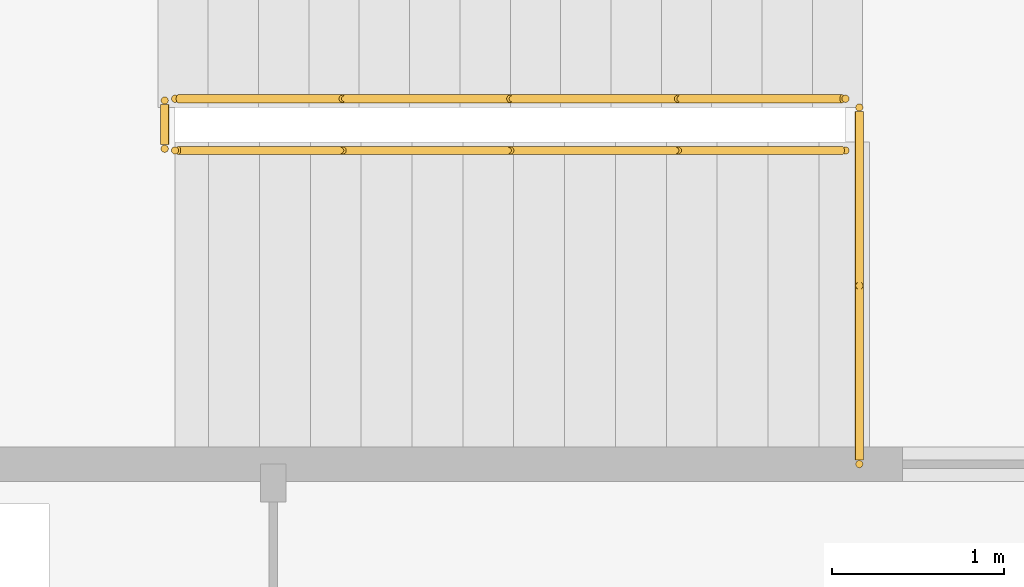
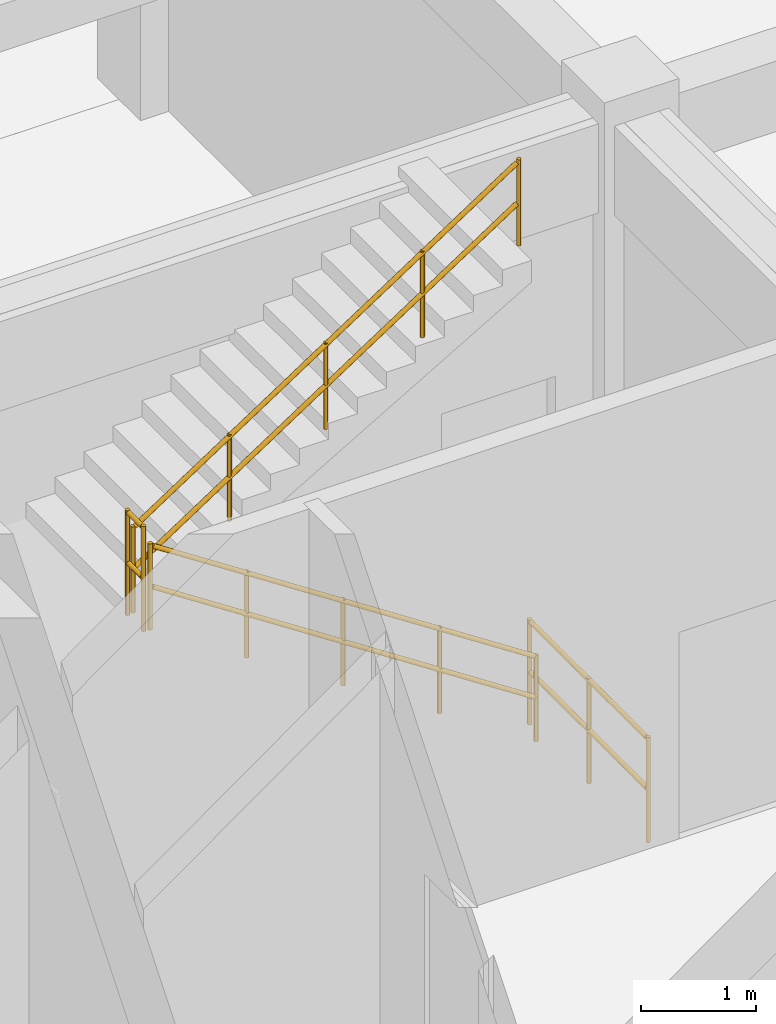
# One storey, part 94 of 99: 4 railings.
"""IFC4 building model written with IfcOpenShell, lengths in metres."""

from ifc_helpers import new_model, si_unit, direction, frame, origin, origin_2d, place, context, subcontext, project, spatial, circle, extrude, material, type_object, element, save


model = new_model("IFC4")

# Units and contexts
model_context = context("Model", 3, precision=1e-05, world=origin(), true_north=direction((0.0, 1.0)))
body_context = subcontext(model_context, "Body", "Model", "MODEL_VIEW")
ifc_project = project(units=[si_unit("LENGTHUNIT", "METRE"), si_unit("AREAUNIT", "SQUARE_METRE"), si_unit("VOLUMEUNIT", "CUBIC_METRE"), si_unit("PLANEANGLEUNIT", "RADIAN"), si_unit("MASSUNIT", "GRAM", prefix="KILO")], contexts=[model_context])

# Site, building, storey
site_placement = place(None, origin())
site = spatial("IfcSite", under=ifc_project, at=site_placement, CompositionType="ELEMENT")
building_placement = place(site_placement, origin())
building = spatial("IfcBuilding", under=site, at=building_placement, Name="Vaudrelin Polytechnic", CompositionType="ELEMENT")
storey_placement = place(building_placement, origin())
storey = spatial("IfcBuildingStorey", under=building, at=storey_placement, Name="L00", CompositionType="ELEMENT", Elevation=0.0)

# Railings
ifc_material = material(Name="Brushed stainless steel AISI 304", Category="steel")
railing_type_1 = type_object("IfcRailingType", Name="RAL-GR-INT", PredefinedType="GUARDRAIL", material=ifc_material)
railing_1_placement = place(storey_placement, frame((119.47998046875, 109.409912109375, 0.0)))
element("IfcRailing", 1, at=railing_1_placement, inside=storey, type_object=railing_type_1, Name="ST-10-B1 upper well guardrail", PredefinedType="GUARDRAIL", context=body_context, shape_type="SweptSolid", body=[
    extrude(circle(Radius=0.02392578125, at=origin_2d()), frame((0.0, 0.023193359375, 1.09619140625), z_axis=(0.0, 1.0, 0.0), x_axis=(-1.0, 0.0, 0.0)), (0.0, 0.0, 1.0), 2.02392578125),
    extrude(circle(Radius=0.02392578125, at=origin_2d()), frame((0.0, 0.023193359375, 0.56005859375), z_axis=(0.0, 1.0, 0.0), x_axis=(-1.0, 0.0, 0.0)), (0.0, 0.0, 1.0), 2.02392578125),
    extrude(circle(Radius=0.02099609375, at=origin_2d()), origin(), (0.0, 0.0, 1.0), 1.1201171875),
    extrude(circle(Radius=0.02099609375, at=origin_2d()), frame((0.0, 1.03515625, 0.0)), (0.0, 0.0, 1.0), 1.1201171875),
    extrude(circle(Radius=0.02099609375, at=origin_2d()), frame((0.0, 2.070068359375, 0.0)), (0.0, 0.0, 1.0), 1.1201171875),
])
railing_2_placement = place(storey_placement, frame((115.449951171875, 111.239990234375, 2.550048828125)))
element("IfcRailing", 2, at=railing_2_placement, inside=storey, type_object=railing_type_1, Name="ST-10-L00 landing well guardrail", PredefinedType="GUARDRAIL", context=body_context, shape_type="SweptSolid", body=[
    extrude(circle(Radius=0.02392578125, at=origin_2d()), frame((0.0, 0.023193359375, 1.09619140625), z_axis=(0.0, 1.0, 0.0), x_axis=(-1.0, 0.0, 0.0)), (0.0, 0.0, 1.0), 0.23388671875),
    extrude(circle(Radius=0.02392578125, at=origin_2d()), frame((0.0, 0.023193359375, 0.56005859375), z_axis=(0.0, 1.0, 0.0), x_axis=(-1.0, 0.0, 0.0)), (0.0, 0.0, 1.0), 0.23388671875),
    extrude(circle(Radius=0.02099609375, at=origin_2d()), origin(), (0.0, 0.0, 1.0), 1.1201171875),
    extrude(circle(Radius=0.02099609375, at=origin_2d()), frame((0.0, 0.280029296875, 0.0)), (0.0, 0.0, 1.0), 1.1201171875),
])
railing_type_2 = type_object("IfcRailingType", Name="RAL-HR-STR", PredefinedType="HANDRAIL", material=ifc_material)
railing_3_placement = place(storey_placement, frame((119.39990234375, 111.22998046875, 0.0)))
element("IfcRailing", 3, at=railing_3_placement, inside=storey, type_object=railing_type_2, Name="ST-10-L00 flight 1 handrail", PredefinedType="HANDRAIL", context=body_context, shape_type="SweptSolid", body=[
    extrude(circle(Radius=0.02392578125, at=origin_2d()), frame((-0.019287109375, 0.0, 0.908447265625), z_axis=(-0.83631341276, 0.0, 0.548251653566), x_axis=(0.0, -1.0, 0.0)), (0.0, 0.0, 1.0), 4.60498046875),
    extrude(circle(Radius=0.02392578125, at=origin_2d()), frame((-0.019287109375, 0.0, 0.47265625), z_axis=(-0.83631341276, 0.0, 0.548251653566), x_axis=(0.0, -1.0, 0.0)), (0.0, 0.0, 1.0), 4.60498046875),
    extrude(circle(Radius=0.02099609375, at=origin_2d()), origin(), (0.0, 0.0, 1.0), 0.919921875),
    extrude(circle(Radius=0.02099609375, at=origin_2d()), frame((-0.972412109375, 0.0, 0.637451171875)), (0.0, 0.0, 1.0), 0.919921875),
    extrude(circle(Radius=0.02099609375, at=origin_2d()), frame((-1.94482421875, 0.0, 1.27490234375)), (0.0, 0.0, 1.0), 0.919921875),
    extrude(circle(Radius=0.02099609375, at=origin_2d()), frame((-2.91748046875, 0.0, 1.91259765625)), (0.0, 0.0, 1.0), 0.919921875),
    extrude(circle(Radius=0.02099609375, at=origin_2d()), frame((-3.889892578125, 0.0, 2.550048828125)), (0.0, 0.0, 1.0), 0.919921875),
])
railing_4_placement = place(storey_placement, frame((115.510009765625, 111.530029296875, 2.550048828125)))
element("IfcRailing", 4, at=railing_4_placement, inside=storey, type_object=railing_type_2, Name="ST-10-L00 flight 2 handrail", PredefinedType="HANDRAIL", context=body_context, shape_type="SweptSolid", body=[
    extrude(circle(Radius=0.02392578125, at=origin_2d()), frame((0.019287109375, 0.0, 0.908447265625), z_axis=(0.83631341276, 0.0, 0.548251653566), x_axis=(0.0, 1.0, 0.0)), (0.0, 0.0, 1.0), 4.60498046875),
    extrude(circle(Radius=0.02392578125, at=origin_2d()), frame((0.019287109375, 0.0, 0.47265625), z_axis=(0.83631341276, 0.0, 0.548251653566), x_axis=(0.0, 1.0, 0.0)), (0.0, 0.0, 1.0), 4.60498046875),
    extrude(circle(Radius=0.02099609375, at=origin_2d()), origin(), (0.0, 0.0, 1.0), 0.919921875),
    extrude(circle(Radius=0.02099609375, at=origin_2d()), frame((0.972412109375, 0.0, 0.637451171875)), (0.0, 0.0, 1.0), 0.919921875),
    extrude(circle(Radius=0.02099609375, at=origin_2d()), frame((1.94482421875, 0.0, 1.27490234375)), (0.0, 0.0, 1.0), 0.919921875),
    extrude(circle(Radius=0.02099609375, at=origin_2d()), frame((2.91748046875, 0.0, 1.91259765625)), (0.0, 0.0, 1.0), 0.919921875),
    extrude(circle(Radius=0.02099609375, at=origin_2d()), frame((3.889892578125, 0.0, 2.550048828125)), (0.0, 0.0, 1.0), 0.919921875),
])

save(model, "model.ifc")
